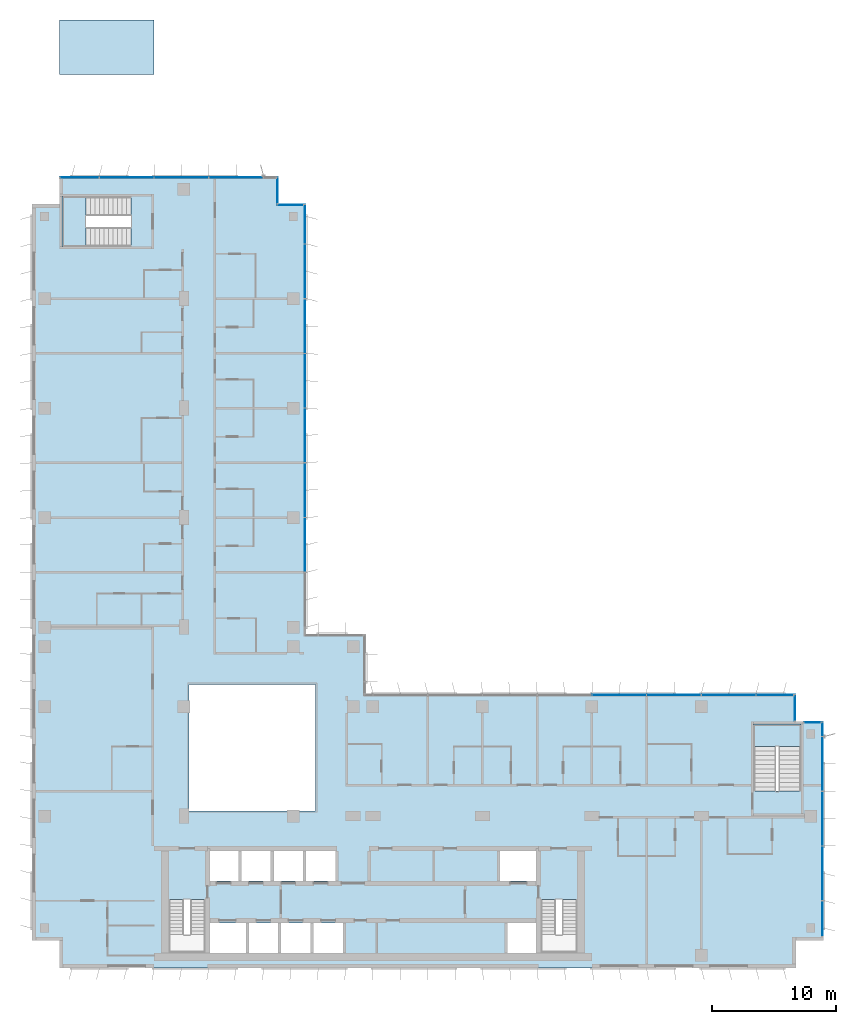
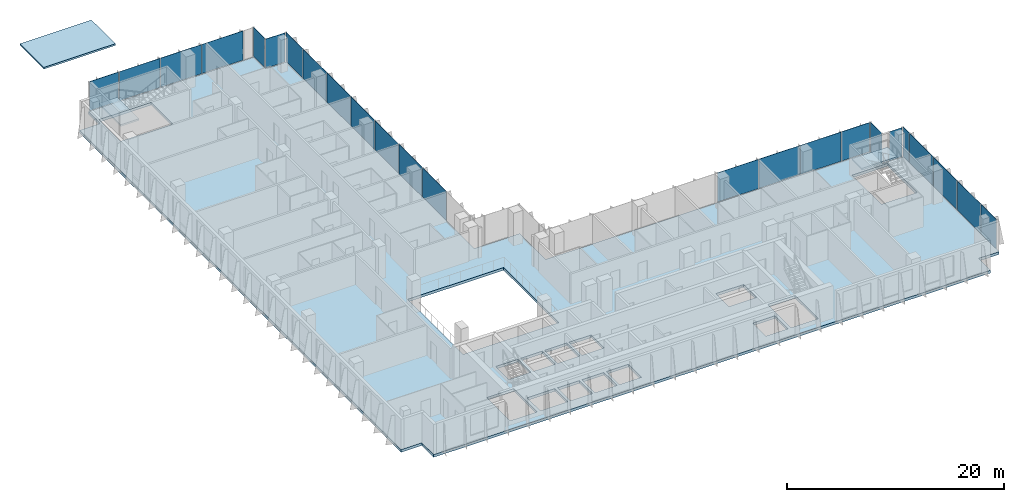
# One storey, part 11 of 21: 24 plates, 4 slabs, 10 elements without a shape of their own.
"""IFC4 building model written with IfcOpenShell, lengths in metres."""

from ifc_helpers import new_model, si_unit, direction, frame, origin, origin_2d, place, context, subcontext, project, spatial, polyline, rectangle, outline, extrude, source, transform, mapped, material, layer, layer_set, type_object, element, aggregate, save


model = new_model("IFC4")

# Units and contexts
model_context = context("Model", 3, precision=1e-05, world=origin(), true_north=direction((0.0, 1.0)))
body_context = subcontext(model_context, "Body", "Model", "MODEL_VIEW")
ifc_project = project(units=[si_unit("LENGTHUNIT", "METRE"), si_unit("AREAUNIT", "SQUARE_METRE"), si_unit("VOLUMEUNIT", "CUBIC_METRE"), si_unit("PLANEANGLEUNIT", "RADIAN"), si_unit("MASSUNIT", "GRAM", prefix="KILO")], contexts=[model_context])

# Site, building, storey
site_placement = place(None, origin())
site = spatial("IfcSite", under=ifc_project, at=site_placement, CompositionType="ELEMENT")
building_placement = place(site_placement, origin())
building = spatial("IfcBuilding", under=site, at=building_placement, Name="Kemantara Hotel Tower", CompositionType="ELEMENT")
storey_placement = place(building_placement, frame((0.0, 0.0, 156.800048828125)))
storey = spatial("IfcBuildingStorey", under=building, at=storey_placement, Name="L38", CompositionType="ELEMENT", Elevation=156.800048828125)

# Slabs
ifc_material_1 = material(Name="Concrete fc 40 MPa", Category="concrete")
ifc_layer_1 = layer(ifc_material_1, 0.199951171875)
ifc_layer_set_1 = layer_set([ifc_layer_1], Name="Concrete fc 40 MPa")
slab_type_1 = type_object("IfcSlabType", Name="Head-house roof slab 200 mm", PredefinedType="ROOF", material=ifc_layer_set_1)
slab_1_placement = place(storey_placement, frame((0.0, 0.0, -0.199951171875)))
element("IfcSlab", 1, at=slab_1_placement, inside=storey, type_object=slab_type_1, Name="Stair ST6 head-house roof", PredefinedType="ROOF", context=body_context, shape_type="SweptSolid", body=[
    extrude(outline(polyline([(2.199951171875, 71.800048828125), (9.800048828125, 71.800048828125), (9.800048828125, 76.199951171875), (2.199951171875, 76.199951171875), (2.199951171875, 71.800048828125)])), origin(), (0.0, 0.0, 1.0), 0.199951171875),
])
ifc_layer_2 = layer(ifc_material_1, 0.300048828125)
ifc_layer_set_2 = layer_set([ifc_layer_2], Name="Concrete fc 40 MPa")
slab_type_2 = type_object("IfcSlabType", Name="POST-TENSIONED FLAT PLATE 300", PredefinedType="FLOOR", material=ifc_layer_set_2)
slab_2_placement = place(storey_placement, frame((0.0, 0.0, -0.300048828125)))
element("IfcSlab", 2, at=slab_2_placement, inside=storey, type_object=slab_type_2, Name="FLOOR SLAB L38", PredefinedType="FLOOR", context=body_context, shape_type="SweptSolid", body=[
    extrude(outline(polyline([(22.0, 26.800048828125), (22.0, 61.39990234375), (19.800048828125, 61.39990234375), (19.800048828125, 63.60009765625), (2.199951171875, 63.60009765625), (2.199951171875, 61.39990234375), (0.0, 61.39990234375), (0.0, 2.199951171875), (2.199951171875, 2.199951171875), (2.199951171875, 0.0), (61.39990234375, 0.0), (61.39990234375, 2.199951171875), (63.60009765625, 2.199951171875), (63.60009765625, 19.800048828125), (61.39990234375, 19.800048828125), (61.39990234375, 22.0), (26.800048828125, 22.0), (26.800048828125, 26.800048828125), (22.0, 26.800048828125)]), holes=[polyline([(17.175048828125, 3.60009765625), (17.175048828125, 1.199951171875), (14.22509765625, 1.199951171875), (14.22509765625, 3.60009765625), (17.175048828125, 3.60009765625)]), polyline([(19.77490234375, 1.199951171875), (17.425048828125, 1.199951171875), (17.425048828125, 3.60009765625), (19.77490234375, 3.60009765625), (19.77490234375, 1.199951171875)]), polyline([(11.0, 1.199951171875), (11.0, 5.49951171875), (13.89990234375, 5.49951171875), (13.89990234375, 1.199951171875), (11.0, 1.199951171875)]), polyline([(16.574951171875, 7.0), (14.22509765625, 7.0), (14.22509765625, 9.39990234375), (16.574951171875, 9.39990234375), (16.574951171875, 7.0)]), polyline([(19.175048828125, 7.0), (16.824951171875, 7.0), (16.824951171875, 9.39990234375), (19.175048828125, 9.39990234375), (19.175048828125, 7.0)]), polyline([(21.77490234375, 7.0), (19.425048828125, 7.0), (19.425048828125, 9.39990234375), (21.77490234375, 9.39990234375), (21.77490234375, 7.0)]), polyline([(22.800048828125, 12.60009765625), (12.60009765625, 12.60009765625), (12.60009765625, 22.800048828125), (22.800048828125, 22.800048828125), (22.800048828125, 12.60009765625)]), polyline([(2.39990234375, 62.0), (7.949462890625, 62.0), (7.949462890625, 58.0), (2.39990234375, 58.0), (2.39990234375, 62.0)]), polyline([(22.375, 1.199951171875), (20.02490234375, 1.199951171875), (20.02490234375, 3.60009765625), (22.375, 3.60009765625), (22.375, 1.199951171875)]), polyline([(24.97509765625, 1.199951171875), (22.625, 1.199951171875), (22.625, 3.60009765625), (24.97509765625, 3.60009765625), (24.97509765625, 1.199951171875)]), polyline([(40.574951171875, 1.199951171875), (38.22509765625, 1.199951171875), (38.22509765625, 3.60009765625), (40.574951171875, 3.60009765625), (40.574951171875, 1.199951171875)]), polyline([(40.89990234375, 1.199951171875), (40.89990234375, 5.49951171875), (43.800048828125, 5.49951171875), (43.800048828125, 1.199951171875), (40.89990234375, 1.199951171875)]), polyline([(24.375, 7.0), (22.02490234375, 7.0), (22.02490234375, 9.39990234375), (24.375, 9.39990234375), (24.375, 7.0)]), polyline([(40.574951171875, 7.0), (37.625, 7.0), (37.625, 9.39990234375), (40.574951171875, 9.39990234375), (40.574951171875, 7.0)]), polyline([(61.800048828125, 19.60009765625), (61.800048828125, 14.20068359375), (58.0, 14.20068359375), (58.0, 19.60009765625), (61.800048828125, 19.60009765625)])]), origin(), (0.0, 0.0, 1.0), 0.300048828125),
])

# Stair, slab
stair_type_1 = type_object("IfcStairType", Name="Stair 1800 wide 22 risers of 168 x 360 mm", PredefinedType="HALF_TURN_STAIR", material=ifc_material_1)
stair_1_placement = place(storey_placement, origin())
stair_1 = element("IfcStair", 3, at=stair_1_placement, inside=storey, type_object=stair_type_1, Name="L38 Exit stair ST3", PredefinedType="HALF_TURN_STAIR")
ifc_layer_3 = layer(ifc_material_1, 0.199951171875)
ifc_layer_set_3 = layer_set([ifc_layer_3], Name="Concrete fc 40 MPa")
slab_type_3 = type_object("IfcSlabType", Name="Stair landing 200 mm", PredefinedType="LANDING", material=ifc_layer_set_3)
slab_3_placement = place(storey_placement, frame((0.0, 0.0, 1.64990234375)))
slab_3 = element("IfcSlab", 4, at=slab_3_placement, type_object=slab_type_3, Name="ST3 landing 1", PredefinedType="LANDING", context=body_context, shape_type="SweptSolid", body=[
    extrude(outline(polyline([(61.800048828125, 17.800048828125), (61.800048828125, 19.60009765625), (58.0, 19.60009765625), (58.0, 17.800048828125), (61.800048828125, 17.800048828125)])), origin(), (0.0, 0.0, 1.0), 0.199951171875),
])
aggregate(stair_1, [slab_3])

stair_type_2 = type_object("IfcStairType", Name="Stair 1550 wide 22 risers of 168 x 360 mm", PredefinedType="HALF_TURN_STAIR", material=ifc_material_1)
stair_2_placement = place(storey_placement, origin())
stair_2 = element("IfcStair", 5, at=stair_2_placement, inside=storey, type_object=stair_type_2, Name="L38 Exit stair ST4", PredefinedType="HALF_TURN_STAIR")
slab_4_placement = place(storey_placement, frame((0.0, 0.0, 1.64990234375)))
slab_4 = element("IfcSlab", 6, at=slab_4_placement, type_object=slab_type_3, Name="ST4 landing 1", PredefinedType="LANDING", context=body_context, shape_type="SweptSolid", body=[
    extrude(outline(polyline([(4.35009765625, 62.0), (2.39990234375, 62.0), (2.39990234375, 58.0), (4.35009765625, 58.0), (4.35009765625, 62.0)])), origin(), (0.0, 0.0, 1.0), 0.199951171875),
])
aggregate(stair_2, [slab_4])

# Curtain wall, plate
ifc_material_2 = material(Name="Low-E tinted double insulated glass 36 mm", Category="glass")
curtain_wall_type = type_object("IfcCurtainWallType", Name="TOWER CURTAIN WALL, FRONT FACES", PredefinedType="USERDEFINED", material=ifc_material_2)
curtain_wall_1_placement = place(storey_placement, origin())
curtain_wall_1 = element("IfcCurtainWall", 7, at=curtain_wall_1_placement, inside=storey, type_object=curtain_wall_type, Name="CW4 L38 T3-R11-1", ObjectType="TOWER CURTAIN WALL, FRONT FACES", PredefinedType="USERDEFINED")
ifc_layer_4 = layer(ifc_material_2, 0.035888671875)
ifc_layer_set_4 = layer_set([ifc_layer_4], Name="Low-E tinted double insulated glass 36 mm")
plate_type = type_object("IfcPlateType", Name="TOWER CURTAIN WALL, FRONT FACES PANEL", PredefinedType="CURTAIN_PANEL", material=ifc_layer_set_4)
shared_shape_1 = source(origin(), body_context, "Body", "SweptSolid", [
    extrude(rectangle(XDim=2.81005859375, YDim=0.035888671875, at=origin_2d()), origin(), (0.0, 0.0, 1.0), 3.280029296875),
])
plate_1_placement = place(storey_placement, frame((63.52490234375, 3.965087890625, 0.1201171875), z_axis=(0.0, 0.0, 1.0), x_axis=(0.0, 1.0, 0.0)))
plate_1 = element("IfcPlate", 8, at=plate_1_placement, type_object=plate_type, Name="CW4 glass panel T3-R11-1.1", PredefinedType="CURTAIN_PANEL", context=body_context, shape_type="MappedRepresentation", body=[
    mapped(shared_shape_1, transform((0.0, 0.0, 0.0))),
])

# Curtain wall, plates
curtain_wall_2_placement = place(storey_placement, origin())
curtain_wall_2 = element("IfcCurtainWall", 9, at=curtain_wall_2_placement, inside=storey, type_object=curtain_wall_type, Name="CW4 L38 T3-R02-1", ObjectType="TOWER CURTAIN WALL, FRONT FACES", PredefinedType="USERDEFINED")
shared_shape_2 = source(origin(), body_context, "Body", "SweptSolid", [
    extrude(rectangle(XDim=4.340087890625, YDim=0.035888671875, at=origin_2d()), origin(), (0.0, 0.0, 1.0), 3.280029296875),
])
plate_2_placement = place(storey_placement, frame((16.39990234375, 63.52490234375, 0.1201171875), z_axis=(0.0, 0.0, 1.0), x_axis=(-1.0, 0.0, 0.0)))
plate_2 = element("IfcPlate", 10, at=plate_2_placement, type_object=plate_type, Name="CW4 glass panel T3-R02-1.2", PredefinedType="CURTAIN_PANEL", context=body_context, shape_type="MappedRepresentation", body=[
    mapped(shared_shape_2, transform((0.0, 0.0, 0.0))),
])
plate_3_placement = place(storey_placement, frame((12.0, 63.52490234375, 0.1201171875), z_axis=(0.0, 0.0, 1.0), x_axis=(-1.0, 0.0, 0.0)))
plate_3 = element("IfcPlate", 11, at=plate_3_placement, type_object=plate_type, Name="CW4 glass panel T3-R02-1.3", PredefinedType="CURTAIN_PANEL", context=body_context, shape_type="MappedRepresentation", body=[
    mapped(shared_shape_2, transform((0.0, 0.0, 0.0))),
])
plate_4_placement = place(storey_placement, frame((7.60009765625, 63.52490234375, 0.1201171875), z_axis=(0.0, 0.0, 1.0), x_axis=(-1.0, 0.0, 0.0)))
plate_4 = element("IfcPlate", 12, at=plate_4_placement, type_object=plate_type, Name="CW4 glass panel T3-R02-1.4", PredefinedType="CURTAIN_PANEL", context=body_context, shape_type="MappedRepresentation", body=[
    mapped(shared_shape_2, transform((0.0, 0.0, 0.0))),
])

# Plate
plate_5_placement = place(storey_placement, frame((63.52490234375, 7.60009765625, 0.1201171875), z_axis=(0.0, 0.0, 1.0), x_axis=(0.0, 1.0, 0.0)))
plate_5 = element("IfcPlate", 13, at=plate_5_placement, type_object=plate_type, Name="CW4 glass panel T3-R11-1.2", PredefinedType="CURTAIN_PANEL", context=body_context, shape_type="MappedRepresentation", body=[
    mapped(shared_shape_2, transform((0.0, 0.0, 0.0))),
])

plate_6_placement = place(storey_placement, frame((63.52490234375, 12.0, 0.1201171875), z_axis=(0.0, 0.0, 1.0), x_axis=(0.0, 1.0, 0.0)))
plate_6 = element("IfcPlate", 14, at=plate_6_placement, type_object=plate_type, Name="CW4 glass panel T3-R11-1.3", PredefinedType="CURTAIN_PANEL", context=body_context, shape_type="MappedRepresentation", body=[
    mapped(shared_shape_2, transform((0.0, 0.0, 0.0))),
])

plate_7_placement = place(storey_placement, frame((63.52490234375, 16.39990234375, 0.1201171875), z_axis=(0.0, 0.0, 1.0), x_axis=(0.0, 1.0, 0.0)))
plate_7 = element("IfcPlate", 15, at=plate_7_placement, type_object=plate_type, Name="CW4 glass panel T3-R11-1.4", PredefinedType="CURTAIN_PANEL", context=body_context, shape_type="MappedRepresentation", body=[
    mapped(shared_shape_2, transform((0.0, 0.0, 0.0))),
])

# Curtain wall, plates
curtain_wall_3_placement = place(storey_placement, origin())
curtain_wall_3 = element("IfcCurtainWall", 16, at=curtain_wall_3_placement, inside=storey, type_object=curtain_wall_type, Name="CW4 L38 T3-R14-1", ObjectType="TOWER CURTAIN WALL, FRONT FACES", PredefinedType="USERDEFINED")
plate_8_placement = place(storey_placement, frame((56.0, 21.925048828125, 0.1201171875), z_axis=(0.0, 0.0, 1.0), x_axis=(-1.0, 0.0, 0.0)))
plate_8 = element("IfcPlate", 17, at=plate_8_placement, type_object=plate_type, Name="CW4 glass panel T3-R14-1.2", PredefinedType="CURTAIN_PANEL", context=body_context, shape_type="MappedRepresentation", body=[
    mapped(shared_shape_2, transform((0.0, 0.0, 0.0))),
])
plate_9_placement = place(storey_placement, frame((51.60009765625, 21.925048828125, 0.1201171875), z_axis=(0.0, 0.0, 1.0), x_axis=(-1.0, 0.0, 0.0)))
plate_9 = element("IfcPlate", 18, at=plate_9_placement, type_object=plate_type, Name="CW4 glass panel T3-R14-1.3", PredefinedType="CURTAIN_PANEL", context=body_context, shape_type="MappedRepresentation", body=[
    mapped(shared_shape_2, transform((0.0, 0.0, 0.0))),
])
plate_10_placement = place(storey_placement, frame((47.199951171875, 21.925048828125, 0.1201171875), z_axis=(0.0, 0.0, 1.0), x_axis=(-1.0, 0.0, 0.0)))
plate_10 = element("IfcPlate", 19, at=plate_10_placement, type_object=plate_type, Name="CW4 glass panel T3-R14-1.4", PredefinedType="CURTAIN_PANEL", context=body_context, shape_type="MappedRepresentation", body=[
    mapped(shared_shape_2, transform((0.0, 0.0, 0.0))),
])

curtain_wall_4_placement = place(storey_placement, origin())
curtain_wall_4 = element("IfcCurtainWall", 20, at=curtain_wall_4_placement, inside=storey, type_object=curtain_wall_type, Name="CW4 L38 T3-R17-1", ObjectType="TOWER CURTAIN WALL, FRONT FACES", PredefinedType="USERDEFINED")
plate_11_placement = place(storey_placement, frame((21.925048828125, 34.0, 0.1201171875), z_axis=(0.0, 0.0, 1.0), x_axis=(0.0, 1.0, 0.0)))
plate_11 = element("IfcPlate", 21, at=plate_11_placement, type_object=plate_type, Name="CW4 glass panel T3-R17-1.3", PredefinedType="CURTAIN_PANEL", context=body_context, shape_type="MappedRepresentation", body=[
    mapped(shared_shape_2, transform((0.0, 0.0, 0.0))),
])
plate_12_placement = place(storey_placement, frame((21.925048828125, 38.39990234375, 0.1201171875), z_axis=(0.0, 0.0, 1.0), x_axis=(0.0, 1.0, 0.0)))
plate_12 = element("IfcPlate", 22, at=plate_12_placement, type_object=plate_type, Name="CW4 glass panel T3-R17-1.4", PredefinedType="CURTAIN_PANEL", context=body_context, shape_type="MappedRepresentation", body=[
    mapped(shared_shape_2, transform((0.0, 0.0, 0.0))),
])
plate_13_placement = place(storey_placement, frame((21.925048828125, 42.800048828125, 0.1201171875), z_axis=(0.0, 0.0, 1.0), x_axis=(0.0, 1.0, 0.0)))
plate_13 = element("IfcPlate", 23, at=plate_13_placement, type_object=plate_type, Name="CW4 glass panel T3-R17-1.5", PredefinedType="CURTAIN_PANEL", context=body_context, shape_type="MappedRepresentation", body=[
    mapped(shared_shape_2, transform((0.0, 0.0, 0.0))),
])
plate_14_placement = place(storey_placement, frame((21.925048828125, 47.199951171875, 0.1201171875), z_axis=(0.0, 0.0, 1.0), x_axis=(0.0, 1.0, 0.0)))
plate_14 = element("IfcPlate", 24, at=plate_14_placement, type_object=plate_type, Name="CW4 glass panel T3-R17-1.6", PredefinedType="CURTAIN_PANEL", context=body_context, shape_type="MappedRepresentation", body=[
    mapped(shared_shape_2, transform((0.0, 0.0, 0.0))),
])
plate_15_placement = place(storey_placement, frame((21.925048828125, 51.60009765625, 0.1201171875), z_axis=(0.0, 0.0, 1.0), x_axis=(0.0, 1.0, 0.0)))
plate_15 = element("IfcPlate", 25, at=plate_15_placement, type_object=plate_type, Name="CW4 glass panel T3-R17-1.7", PredefinedType="CURTAIN_PANEL", context=body_context, shape_type="MappedRepresentation", body=[
    mapped(shared_shape_2, transform((0.0, 0.0, 0.0))),
])
plate_16_placement = place(storey_placement, frame((21.925048828125, 56.0, 0.1201171875), z_axis=(0.0, 0.0, 1.0), x_axis=(0.0, 1.0, 0.0)))
plate_16 = element("IfcPlate", 26, at=plate_16_placement, type_object=plate_type, Name="CW4 glass panel T3-R17-1.8", PredefinedType="CURTAIN_PANEL", context=body_context, shape_type="MappedRepresentation", body=[
    mapped(shared_shape_2, transform((0.0, 0.0, 0.0))),
])

# Plate
shared_shape_3 = source(origin(), body_context, "Body", "SweptSolid", [
    extrude(rectangle(XDim=3.110107421875, YDim=0.035888671875, at=origin_2d()), origin(), (0.0, 0.0, 1.0), 3.280029296875),
])
plate_17_placement = place(storey_placement, frame((3.81494140625, 63.52490234375, 0.1201171875), z_axis=(0.0, 0.0, 1.0), x_axis=(-1.0, 0.0, 0.0)))
plate_17 = element("IfcPlate", 27, at=plate_17_placement, type_object=plate_type, Name="CW4 glass panel T3-R02-1.5", PredefinedType="CURTAIN_PANEL", context=body_context, shape_type="MappedRepresentation", body=[
    mapped(shared_shape_3, transform((0.0, 0.0, 0.0))),
])

aggregate(curtain_wall_2, [plate_2, plate_3, plate_4, plate_17])

plate_18_placement = place(storey_placement, frame((21.925048828125, 59.784912109375, 0.1201171875), z_axis=(0.0, 0.0, 1.0), x_axis=(0.0, 1.0, 0.0)))
plate_18 = element("IfcPlate", 28, at=plate_18_placement, type_object=plate_type, Name="CW4 glass panel T3-R17-1.9", PredefinedType="CURTAIN_PANEL", context=body_context, shape_type="MappedRepresentation", body=[
    mapped(shared_shape_3, transform((0.0, 0.0, 0.0))),
])

aggregate(curtain_wall_4, [plate_11, plate_12, plate_13, plate_14, plate_15, plate_16, plate_18])

# Curtain wall, plate
curtain_wall_5_placement = place(storey_placement, origin())
curtain_wall_5 = element("IfcCurtainWall", 29, at=curtain_wall_5_placement, inside=storey, type_object=curtain_wall_type, Name="CW4 L38 T3-R00-1", ObjectType="TOWER CURTAIN WALL, FRONT FACES", PredefinedType="USERDEFINED")
shared_shape_4 = source(origin(), body_context, "Body", "SweptSolid", [
    extrude(rectangle(XDim=2.080078125, YDim=0.035888671875, at=origin_2d()), origin(), (0.0, 0.0, 1.0), 3.280029296875),
])
plate_19_placement = place(storey_placement, frame((20.75, 61.324951171875, 0.1201171875), z_axis=(0.0, 0.0, 1.0), x_axis=(-1.0, 0.0, 0.0)))
plate_19 = element("IfcPlate", 30, at=plate_19_placement, type_object=plate_type, Name="CW4 glass panel T3-R00-1.1", PredefinedType="CURTAIN_PANEL", context=body_context, shape_type="MappedRepresentation", body=[
    mapped(shared_shape_4, transform((0.0, 0.0, 0.0))),
])
aggregate(curtain_wall_5, [plate_19])

curtain_wall_6_placement = place(storey_placement, origin())
curtain_wall_6 = element("IfcCurtainWall", 31, at=curtain_wall_6_placement, inside=storey, type_object=curtain_wall_type, Name="CW4 L38 T3-R01-1", ObjectType="TOWER CURTAIN WALL, FRONT FACES", PredefinedType="USERDEFINED")
plate_20_placement = place(storey_placement, frame((19.72509765625, 62.5, 0.1201171875), z_axis=(0.0, 0.0, 1.0), x_axis=(0.0, 1.0, 0.0)))
plate_20 = element("IfcPlate", 32, at=plate_20_placement, type_object=plate_type, Name="CW4 glass panel T3-R01-1.1", PredefinedType="CURTAIN_PANEL", context=body_context, shape_type="MappedRepresentation", body=[
    mapped(shared_shape_4, transform((0.0, 0.0, 0.0))),
])
aggregate(curtain_wall_6, [plate_20])

curtain_wall_7_placement = place(storey_placement, origin())
curtain_wall_7 = element("IfcCurtainWall", 33, at=curtain_wall_7_placement, inside=storey, type_object=curtain_wall_type, Name="CW4 L38 T3-R13-1", ObjectType="TOWER CURTAIN WALL, FRONT FACES", PredefinedType="USERDEFINED")
plate_21_placement = place(storey_placement, frame((61.324951171875, 20.89990234375, 0.1201171875), z_axis=(0.0, 0.0, 1.0), x_axis=(0.0, 1.0, 0.0)))
plate_21 = element("IfcPlate", 34, at=plate_21_placement, type_object=plate_type, Name="CW4 glass panel T3-R13-1.1", PredefinedType="CURTAIN_PANEL", context=body_context, shape_type="MappedRepresentation", body=[
    mapped(shared_shape_4, transform((0.0, 0.0, 0.0))),
])
aggregate(curtain_wall_7, [plate_21])

# Plate
shared_shape_5 = source(origin(), body_context, "Body", "SweptSolid", [
    extrude(rectangle(XDim=2.9599609375, YDim=0.035888671875, at=origin_2d()), origin(), (0.0, 0.0, 1.0), 3.280029296875),
])
plate_22_placement = place(storey_placement, frame((59.7099609375, 21.925048828125, 0.1201171875), z_axis=(0.0, 0.0, 1.0), x_axis=(-1.0, 0.0, 0.0)))
plate_22 = element("IfcPlate", 35, at=plate_22_placement, type_object=plate_type, Name="CW4 glass panel T3-R14-1.1", PredefinedType="CURTAIN_PANEL", context=body_context, shape_type="MappedRepresentation", body=[
    mapped(shared_shape_5, transform((0.0, 0.0, 0.0))),
])

aggregate(curtain_wall_3, [plate_22, plate_8, plate_9, plate_10])

shared_shape_6 = source(origin(), body_context, "Body", "SweptSolid", [
    extrude(rectangle(XDim=1.110107421875, YDim=0.035888671875, at=origin_2d()), origin(), (0.0, 0.0, 1.0), 3.280029296875),
])
plate_23_placement = place(storey_placement, frame((63.52490234375, 19.18505859375, 0.1201171875), z_axis=(0.0, 0.0, 1.0), x_axis=(0.0, 1.0, 0.0)))
plate_23 = element("IfcPlate", 36, at=plate_23_placement, type_object=plate_type, Name="CW4 glass panel T3-R11-1.5", PredefinedType="CURTAIN_PANEL", context=body_context, shape_type="MappedRepresentation", body=[
    mapped(shared_shape_6, transform((0.0, 0.0, 0.0))),
])

aggregate(curtain_wall_1, [plate_1, plate_5, plate_6, plate_7, plate_23])

# Curtain wall, plate
curtain_wall_8_placement = place(storey_placement, origin())
curtain_wall_8 = element("IfcCurtainWall", 37, at=curtain_wall_8_placement, inside=storey, type_object=curtain_wall_type, Name="CW4 L38 T3-R12-1", ObjectType="TOWER CURTAIN WALL, FRONT FACES", PredefinedType="USERDEFINED")
shared_shape_7 = source(origin(), body_context, "Body", "SweptSolid", [
    extrude(rectangle(XDim=1.330078125, YDim=0.035888671875, at=origin_2d()), origin(), (0.0, 0.0, 1.0), 3.280029296875),
])
plate_24_placement = place(storey_placement, frame((62.72509765625, 19.72509765625, 0.1201171875), z_axis=(0.0, 0.0, 1.0), x_axis=(-1.0, 0.0, 0.0)))
plate_24 = element("IfcPlate", 38, at=plate_24_placement, type_object=plate_type, Name="CW4 glass panel T3-R12-1.1", PredefinedType="CURTAIN_PANEL", context=body_context, shape_type="MappedRepresentation", body=[
    mapped(shared_shape_7, transform((0.0, 0.0, 0.0))),
])
aggregate(curtain_wall_8, [plate_24])

save(model, "model.ifc")
